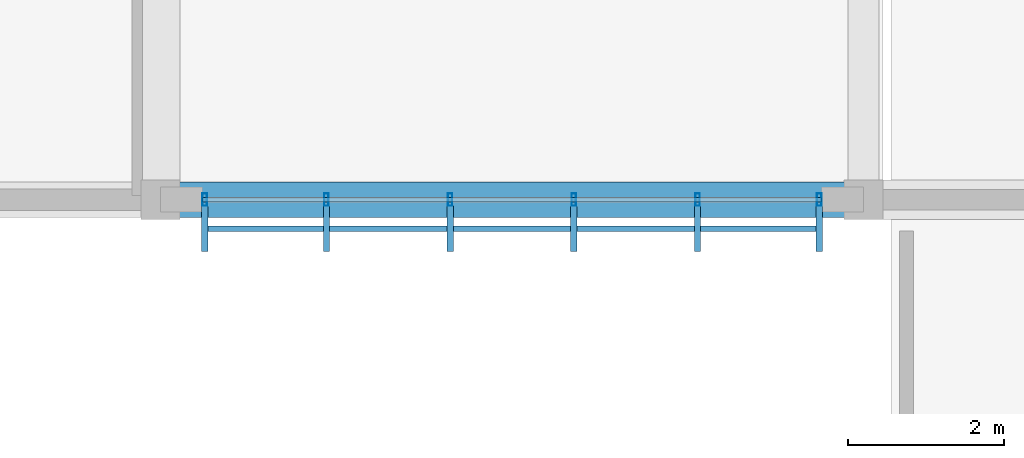
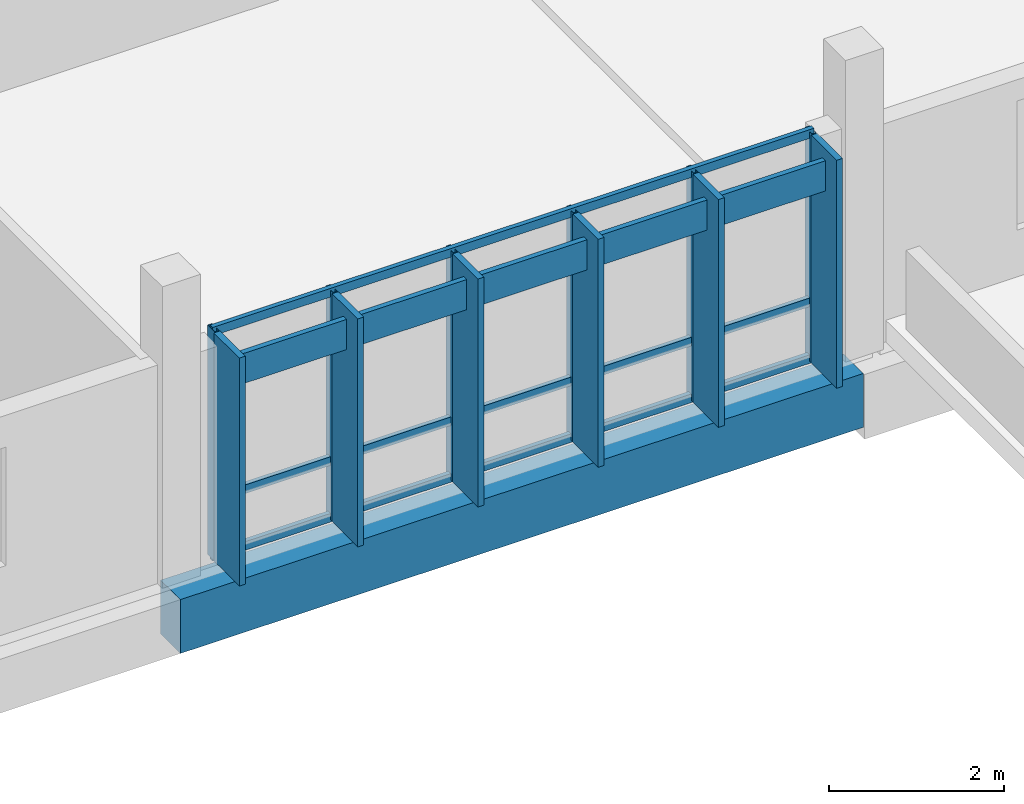
# One storey, part 43 of 107: 16 members, 1 beam, 1 element without a shape of its own.
"""IFC4 building model written with IfcOpenShell, lengths in metres."""

from ifc_helpers import new_model, si_unit, direction, frame, origin, origin_2d, place, context, subcontext, project, spatial, rectangle, hollow_rectangle, extrude, material, material_profile, profile_set, type_object, element, aggregate, save


model = new_model("IFC4")

# Units and contexts
model_context = context("Model", 3, precision=1e-05, world=origin(), true_north=direction((0.0, 1.0)))
body_context = subcontext(model_context, "Body", "Model", "MODEL_VIEW")
ifc_project = project(units=[si_unit("LENGTHUNIT", "METRE"), si_unit("AREAUNIT", "SQUARE_METRE"), si_unit("VOLUMEUNIT", "CUBIC_METRE"), si_unit("PLANEANGLEUNIT", "RADIAN"), si_unit("MASSUNIT", "GRAM", prefix="KILO")], contexts=[model_context])

# Site, building, storey
site_placement = place(None, origin())
site = spatial("IfcSite", under=ifc_project, at=site_placement, CompositionType="ELEMENT")
building_placement = place(site_placement, origin())
building = spatial("IfcBuilding", under=site, at=building_placement, Name="Chiffa Square Polytechnic", CompositionType="ELEMENT")
storey_placement = place(building_placement, frame((0.0, 0.0, 13.800048828125)))
storey = spatial("IfcBuildingStorey", under=building, at=storey_placement, Name="L03", CompositionType="ELEMENT", Elevation=13.800048828125)

# Beam
ifc_material_1 = material(Name="Concrete C35/45", Category="concrete")
ifc_material_profile_1 = material_profile(ifc_material_1, rectangle(XDim=0.449951171875, YDim=0.75, at=origin_2d()), Name="RC 450x750")
ifc_profile_set_1 = profile_set([ifc_material_profile_1], Name="Concrete C35/45")
beam_type = type_object("IfcBeamType", Name="BM-RC-450X750", PredefinedType="BEAM", material=ifc_profile_set_1)
beam_placement = place(storey_placement, frame((102.60009765625, 103.800048828125, -0.635009765625), z_axis=(1.0, 0.0, 0.0), x_axis=(0.0, 1.0, 0.0)))
element("IfcBeam", 1, at=beam_placement, inside=storey, type_object=beam_type, Name="Primary floor girder BM-V5-L03-X-1026-1038", PredefinedType="BEAM", context=body_context, shape_type="SweptSolid", body=[
    extrude(rectangle(XDim=0.449951171875, YDim=0.75, at=origin_2d()), origin(), (0.0, 0.0, 1.0), 9.0),
])

# Curtain wall, members
ifc_material_2 = material(Name="Aluminium EN AW-6060 T66 and glulam shading", Category="wood")
curtain_wall_type = type_object("IfcCurtainWallType", Name="CW-VERT-300X380", PredefinedType="USERDEFINED", material=ifc_material_2)
curtain_wall_placement = place(storey_placement, origin())
curtain_wall = element("IfcCurtainWall", 2, at=curtain_wall_placement, inside=storey, type_object=curtain_wall_type, Name="Curtain wall CW-V5-L03-227", ObjectType="CURTAIN WALL", PredefinedType="USERDEFINED")
ifc_material_3 = material(Name="Aluminium EN AW-6060 T66", Category="aluminium")
ifc_material_profile_2 = material_profile(ifc_material_3, hollow_rectangle(XDim=0.06005859375, YDim=0.159912109375, WallThickness=0.00390625, at=origin_2d()), Name="ALU 60x160x4")
ifc_profile_set_2 = profile_set([ifc_material_profile_2], Name="Aluminium EN AW-6060 T66")
member_type_1 = type_object("IfcMemberType", Name="CWM-ALU-65X150", PredefinedType="MULLION", material=ifc_profile_set_2)
member_1_placement = place(storey_placement, frame((103.1650390625, 103.800048828125, 0.0), z_axis=(0.0, 0.0, 1.0), x_axis=(1.0, 0.0, 0.0)))
member_1 = element("IfcMember", 3, at=member_1_placement, type_object=member_type_1, Name="Curtain wall mullion CW-V5-L03-227-M00", PredefinedType="MULLION", context=body_context, shape_type="SweptSolid", body=[
    extrude(hollow_rectangle(XDim=0.06005859375, YDim=0.159912109375, WallThickness=0.00390625, at=origin_2d()), origin(), (0.0, 0.0, 1.0), 3.195068359375),
])
member_2_placement = place(storey_placement, frame((104.72412109375, 103.800048828125, 0.0), z_axis=(0.0, 0.0, 1.0), x_axis=(1.0, 0.0, 0.0)))
member_2 = element("IfcMember", 4, at=member_2_placement, type_object=member_type_1, Name="Curtain wall mullion CW-V5-L03-227-M01", PredefinedType="MULLION", context=body_context, shape_type="SweptSolid", body=[
    extrude(hollow_rectangle(XDim=0.06005859375, YDim=0.159912109375, WallThickness=0.00390625, at=origin_2d()), origin(), (0.0, 0.0, 1.0), 3.195068359375),
])
member_3_placement = place(storey_placement, frame((106.30810546875, 103.800048828125, 0.0), z_axis=(0.0, 0.0, 1.0), x_axis=(1.0, 0.0, 0.0)))
member_3 = element("IfcMember", 5, at=member_3_placement, type_object=member_type_1, Name="Curtain wall mullion CW-V5-L03-227-M02", PredefinedType="MULLION", context=body_context, shape_type="SweptSolid", body=[
    extrude(hollow_rectangle(XDim=0.06005859375, YDim=0.159912109375, WallThickness=0.00390625, at=origin_2d()), origin(), (0.0, 0.0, 1.0), 3.195068359375),
])
member_4_placement = place(storey_placement, frame((107.89208984375, 103.800048828125, 0.0), z_axis=(0.0, 0.0, 1.0), x_axis=(1.0, 0.0, 0.0)))
member_4 = element("IfcMember", 6, at=member_4_placement, type_object=member_type_1, Name="Curtain wall mullion CW-V5-L03-227-M03", PredefinedType="MULLION", context=body_context, shape_type="SweptSolid", body=[
    extrude(hollow_rectangle(XDim=0.06005859375, YDim=0.159912109375, WallThickness=0.00390625, at=origin_2d()), origin(), (0.0, 0.0, 1.0), 3.195068359375),
])
member_5_placement = place(storey_placement, frame((109.47607421875, 103.800048828125, 0.0), z_axis=(0.0, 0.0, 1.0), x_axis=(1.0, 0.0, 0.0)))
member_5 = element("IfcMember", 7, at=member_5_placement, type_object=member_type_1, Name="Curtain wall mullion CW-V5-L03-227-M04", PredefinedType="MULLION", context=body_context, shape_type="SweptSolid", body=[
    extrude(hollow_rectangle(XDim=0.06005859375, YDim=0.159912109375, WallThickness=0.00390625, at=origin_2d()), origin(), (0.0, 0.0, 1.0), 3.195068359375),
])
member_6_placement = place(storey_placement, frame((111.034912109375, 103.800048828125, 0.0), z_axis=(0.0, 0.0, 1.0), x_axis=(1.0, 0.0, 0.0)))
member_6 = element("IfcMember", 8, at=member_6_placement, type_object=member_type_1, Name="Curtain wall mullion CW-V5-L03-227-M05", PredefinedType="MULLION", context=body_context, shape_type="SweptSolid", body=[
    extrude(hollow_rectangle(XDim=0.06005859375, YDim=0.159912109375, WallThickness=0.00390625, at=origin_2d()), origin(), (0.0, 0.0, 1.0), 3.195068359375),
])
ifc_material_4 = material(Name="Glulam GL28h", Category="wood")
ifc_material_profile_3 = material_profile(ifc_material_4, rectangle(XDim=0.080078125, YDim=0.580078125, at=origin_2d()), Name="GL28h 80x580")
ifc_profile_set_3 = profile_set([ifc_material_profile_3], Name="Glulam GL28h")
member_type_2 = type_object("IfcMemberType", Name="CWM-GL-80X580", PredefinedType="MULLION", material=ifc_profile_set_3)
member_7_placement = place(storey_placement, frame((103.1650390625, 103.427978515625, 0.010009765625), z_axis=(0.0, 0.0, 1.0), x_axis=(1.0, 0.0, 0.0)))
member_7 = element("IfcMember", 9, at=member_7_placement, type_object=member_type_2, Name="Exterior glulam solar fin CW-V5-L03-227-FN00", PredefinedType="MULLION", context=body_context, shape_type="SweptSolid", body=[
    extrude(rectangle(XDim=0.080078125, YDim=0.580078125, at=origin_2d()), origin(), (0.0, 0.0, 1.0), 3.175048828125),
])
member_8_placement = place(storey_placement, frame((104.72412109375, 103.427978515625, 0.010009765625), z_axis=(0.0, 0.0, 1.0), x_axis=(1.0, 0.0, 0.0)))
member_8 = element("IfcMember", 10, at=member_8_placement, type_object=member_type_2, Name="Exterior glulam solar fin CW-V5-L03-227-FN01", PredefinedType="MULLION", context=body_context, shape_type="SweptSolid", body=[
    extrude(rectangle(XDim=0.080078125, YDim=0.580078125, at=origin_2d()), origin(), (0.0, 0.0, 1.0), 3.175048828125),
])
member_9_placement = place(storey_placement, frame((106.30810546875, 103.427978515625, 0.010009765625), z_axis=(0.0, 0.0, 1.0), x_axis=(1.0, 0.0, 0.0)))
member_9 = element("IfcMember", 11, at=member_9_placement, type_object=member_type_2, Name="Exterior glulam solar fin CW-V5-L03-227-FN02", PredefinedType="MULLION", context=body_context, shape_type="SweptSolid", body=[
    extrude(rectangle(XDim=0.080078125, YDim=0.580078125, at=origin_2d()), origin(), (0.0, 0.0, 1.0), 3.175048828125),
])
member_10_placement = place(storey_placement, frame((107.89208984375, 103.427978515625, 0.010009765625), z_axis=(0.0, 0.0, 1.0), x_axis=(1.0, 0.0, 0.0)))
member_10 = element("IfcMember", 12, at=member_10_placement, type_object=member_type_2, Name="Exterior glulam solar fin CW-V5-L03-227-FN03", PredefinedType="MULLION", context=body_context, shape_type="SweptSolid", body=[
    extrude(rectangle(XDim=0.080078125, YDim=0.580078125, at=origin_2d()), origin(), (0.0, 0.0, 1.0), 3.175048828125),
])
member_11_placement = place(storey_placement, frame((109.47607421875, 103.427978515625, 0.010009765625), z_axis=(0.0, 0.0, 1.0), x_axis=(1.0, 0.0, 0.0)))
member_11 = element("IfcMember", 13, at=member_11_placement, type_object=member_type_2, Name="Exterior glulam solar fin CW-V5-L03-227-FN04", PredefinedType="MULLION", context=body_context, shape_type="SweptSolid", body=[
    extrude(rectangle(XDim=0.080078125, YDim=0.580078125, at=origin_2d()), origin(), (0.0, 0.0, 1.0), 3.175048828125),
])
member_12_placement = place(storey_placement, frame((111.034912109375, 103.427978515625, 0.010009765625), z_axis=(0.0, 0.0, 1.0), x_axis=(1.0, 0.0, 0.0)))
member_12 = element("IfcMember", 14, at=member_12_placement, type_object=member_type_2, Name="Exterior glulam solar fin CW-V5-L03-227-FN05", PredefinedType="MULLION", context=body_context, shape_type="SweptSolid", body=[
    extrude(rectangle(XDim=0.080078125, YDim=0.580078125, at=origin_2d()), origin(), (0.0, 0.0, 1.0), 3.175048828125),
])
ifc_material_profile_4 = material_profile(ifc_material_3, hollow_rectangle(XDim=0.06005859375, YDim=0.1201171875, WallThickness=0.00390625, at=origin_2d()), Name="ALU 60x120x4")
ifc_profile_set_4 = profile_set([ifc_material_profile_4], Name="Aluminium EN AW-6060 T66")
member_type_3 = type_object("IfcMemberType", Name="CWT-ALU-65X120", PredefinedType="USERDEFINED", material=ifc_profile_set_4)
member_13_placement = place(storey_placement, frame((103.137939453125, 103.800048828125, 0.030029296875), z_axis=(1.0, 0.0, 0.0), x_axis=(0.0, 1.0, 0.0)))
member_13 = element("IfcMember", 15, at=member_13_placement, type_object=member_type_3, Name="Curtain wall transom CW-V5-L03-227-T01", ObjectType="TRANSOM", PredefinedType="USERDEFINED", context=body_context, shape_type="SweptSolid", body=[
    extrude(hollow_rectangle(XDim=0.06005859375, YDim=0.1201171875, WallThickness=0.00390625, at=origin_2d()), origin(), (0.0, 0.0, 1.0), 7.924072265625),
])
member_14_placement = place(storey_placement, frame((103.137939453125, 103.800048828125, 0.820068359375), z_axis=(1.0, 0.0, 0.0), x_axis=(0.0, 1.0, 0.0)))
member_14 = element("IfcMember", 16, at=member_14_placement, type_object=member_type_3, Name="Curtain wall transom CW-V5-L03-227-T02", ObjectType="TRANSOM", PredefinedType="USERDEFINED", context=body_context, shape_type="SweptSolid", body=[
    extrude(hollow_rectangle(XDim=0.06005859375, YDim=0.1201171875, WallThickness=0.00390625, at=origin_2d()), origin(), (0.0, 0.0, 1.0), 7.924072265625),
])
member_15_placement = place(storey_placement, frame((103.137939453125, 103.800048828125, 3.1650390625), z_axis=(1.0, 0.0, 0.0), x_axis=(0.0, 1.0, 0.0)))
member_15 = element("IfcMember", 17, at=member_15_placement, type_object=member_type_3, Name="Curtain wall transom CW-V5-L03-227-T03", ObjectType="TRANSOM", PredefinedType="USERDEFINED", context=body_context, shape_type="SweptSolid", body=[
    extrude(hollow_rectangle(XDim=0.06005859375, YDim=0.1201171875, WallThickness=0.00390625, at=origin_2d()), origin(), (0.0, 0.0, 1.0), 7.924072265625),
])
ifc_material_profile_5 = material_profile(ifc_material_4, rectangle(XDim=0.070068359375, YDim=0.419921875, at=origin_2d()), Name="GL28h 70x420")
ifc_profile_set_5 = profile_set([ifc_material_profile_5], Name="Glulam GL28h")
member_type_4 = type_object("IfcMemberType", Name="CWT-GL-70X420", PredefinedType="USERDEFINED", material=ifc_profile_set_5)
member_16_placement = place(storey_placement, frame((103.1650390625, 103.427978515625, 2.81494140625), z_axis=(1.0, 0.0, 0.0), x_axis=(0.0, 1.0, 0.0)))
member_16 = element("IfcMember", 18, at=member_16_placement, type_object=member_type_4, Name="Exterior glulam brise-soleil CW-V5-L03-227-BS01", ObjectType="TRANSOM", PredefinedType="USERDEFINED", context=body_context, shape_type="SweptSolid", body=[
    extrude(rectangle(XDim=0.070068359375, YDim=0.419921875, at=origin_2d()), origin(), (0.0, 0.0, 1.0), 7.869873046875),
])
aggregate(curtain_wall, [member_1, member_7, member_2, member_8, member_3, member_9, member_4, member_10, member_5, member_11, member_6, member_12, member_13, member_14, member_15, member_16])

save(model, "model.ifc")
